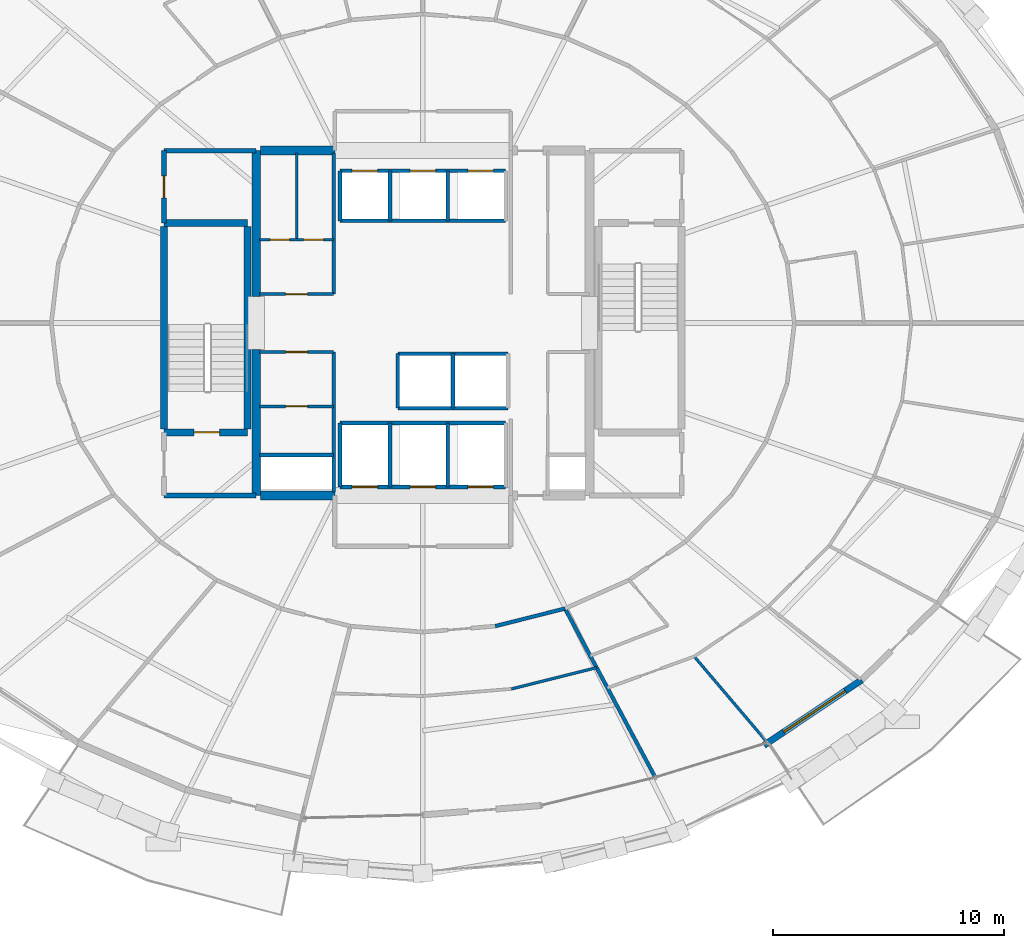
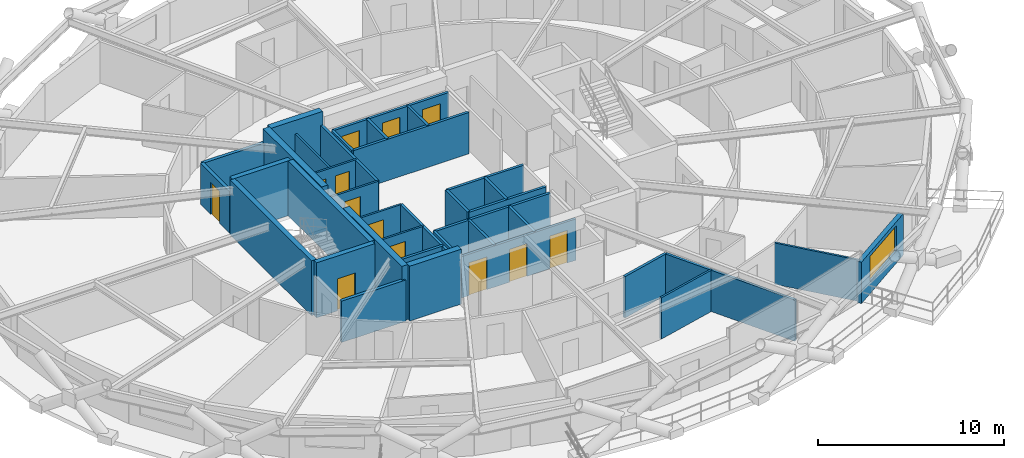
# One storey, part 8 of 14: 38 walls, 13 doors, 1 window, 14 openings.
"""IFC4 building model written with IfcOpenShell, lengths in metres."""

from ifc_helpers import new_model, si_unit, direction, frame, frame_2d, origin, place, context, subcontext, project, spatial, rectangle, extrude, material, layer, layer_set, type_object, element, fill, save


model = new_model("IFC4")

# Units and contexts
model_context = context("Model", 3, precision=1e-05, world=origin(), true_north=direction((0.0, 1.0)))
body_context = subcontext(model_context, "Body", "Model", "MODEL_VIEW")
ifc_project = project(units=[si_unit("LENGTHUNIT", "METRE"), si_unit("AREAUNIT", "SQUARE_METRE"), si_unit("VOLUMEUNIT", "CUBIC_METRE"), si_unit("PLANEANGLEUNIT", "RADIAN"), si_unit("MASSUNIT", "GRAM", prefix="KILO")], contexts=[model_context])

# Site, building, storey
site_placement = place(None, origin())
site = spatial("IfcSite", under=ifc_project, at=site_placement, CompositionType="ELEMENT")
building_placement = place(site_placement, origin())
building = spatial("IfcBuilding", under=site, at=building_placement, Name="Veldorina Hangang Commons", CompositionType="ELEMENT")
storey_placement = place(building_placement, frame((0.0, 0.0, 62.800048828125)))
storey = spatial("IfcBuildingStorey", under=building, at=storey_placement, Name="L15", CompositionType="ELEMENT", Elevation=62.800048828125)

# Walls
ifc_material_1 = material(Name="Concrete C70/85", Category="concrete")
ifc_layer_1 = layer(ifc_material_1, 0.3798828125)
ifc_layer_set_1 = layer_set([ifc_layer_1], Name="Concrete C70/85")
wall_type_1 = type_object("IfcWallType", Name="CW-RC380-C70", PredefinedType="SHEAR", material=ifc_layer_set_1)
for number, where, z_axis, x_axis, name in (
    (1, (24.800048828125, 16.550048828125, 0.0), (0.0, 0.0, 1.0), (0.0, 1.0, 0.0), "L15 W south core shear wall"),
    (2, (24.800048828125, 25.14990234375, 0.0), (0.0, 0.0, 1.0), (0.0, 1.0, 0.0), "L15 W north core shear wall"),
):
    element("IfcWall", number, at=place(storey_placement, frame(where, z_axis=z_axis, x_axis=x_axis)), inside=storey, type_object=wall_type_1, Name=name, PredefinedType="SHEAR", context=body_context, shape_type="SweptSolid", body=[
        extrude(rectangle(XDim=6.300048828125, YDim=0.3798828125, at=frame_2d((3.14990234375, 0.0))), origin(), (0.0, 0.0, 1.0), 3.599853515625),
    ])
for number, where, z_axis, x_axis, name in (
    (3, (24.989990234375, 16.550048828125, 0.0), (0.0, 0.0, 1.0), (1.0, 0.0, 0.0), "L15 south-west core shear wall"),
    (4, (24.989990234375, 31.449951171875, 0.0), (0.0, 0.0, 1.0), (1.0, 0.0, 0.0), "L15 north-west core shear wall"),
):
    element("IfcWall", number, at=place(storey_placement, frame(where, z_axis=z_axis, x_axis=x_axis)), inside=storey, type_object=wall_type_1, Name=name, PredefinedType="SHEAR", context=body_context, shape_type="SweptSolid", body=[
        extrude(rectangle(XDim=3.2099609375, YDim=0.3798828125, at=frame_2d((1.60498046875, 0.0))), origin(), (0.0, 0.0, 1.0), 3.599853515625),
    ])

# Wall, opening, window
ifc_material_2 = material(Name="Stone Roman Travertine", Category="masonry")
ifc_layer_2 = layer(ifc_material_2, 0.280029296875)
ifc_layer_set_2 = layer_set([ifc_layer_2], Name="Stone Roman Travertine")
wall_type_2 = type_object("IfcWallType", Name="EW-TRAV-280", PredefinedType="STANDARD", material=ifc_layer_set_2)
wall_1_placement = place(storey_placement, frame((46.73974609375, 5.761962890625, 0.0), z_axis=(0.0, 0.0, 1.0), x_axis=(0.831679795374, 0.555255542941, 0.0)))
wall_1 = element("IfcWall", 5, at=wall_1_placement, inside=storey, type_object=wall_type_2, Name="L15 travertine facade wall 27", PredefinedType="STANDARD", context=body_context, shape_type="SweptSolid", body=[
    extrude(rectangle(XDim=5.0712890625, YDim=0.280029296875, at=frame_2d((2.53564453125, 0.0))), origin(), (0.0, 0.0, 1.0), 2.7099609375),
])
opening_1_placement = place(wall_1_placement, frame((1.02880859375, 0.0, 0.800048828125)))
opening_1 = element("IfcOpeningElement", 6, at=opening_1_placement, cuts=wall_1, Name="Opening W-01", PredefinedType="OPENING", context=body_context, shape_type="SweptSolid", body=[
    extrude(rectangle(XDim=3.199951171875, YDim=1.64990234375, at=frame_2d((1.60009765625, 0.824951171875))), frame((0.0, 0.14990234375, 0.0), z_axis=(0.0, -1.0, 0.0), x_axis=(1.0, 0.0, 0.0)), (0.0, 0.0, 1.0), 0.300048828125),
])
ifc_material_3 = material(Name="Glass Low-E Triple IGU", Category="glass")
window_type = type_object("IfcWindowType", Name="WIN-TWR-3200", PartitioningType="SINGLE_PANEL", PredefinedType="WINDOW", material=ifc_material_3)
window_placement = place(opening_1_placement, origin())
window = element("IfcWindow", 7, at=window_placement, inside=storey, type_object=window_type, Name="L15 facade window 27", OverallHeight=1.64990234375, OverallWidth=3.199951171875, PartitioningType="SINGLE_PANEL", PredefinedType="WINDOW", context=body_context, shape_type="SweptSolid", body=[
    extrude(rectangle(XDim=3.199951171875, YDim=1.64990234375, at=frame_2d((1.60009765625, 0.824951171875))), frame((0.0, 0.030029296875, 0.0), z_axis=(0.0, -1.0, 0.0), x_axis=(1.0, 0.0, 0.0)), (0.0, 0.0, 1.0), 0.06005859375),
])
fill(opening_1, window)

# Walls
ifc_material_4 = material(Name="Concrete C50/60", Category="concrete")
ifc_layer_3 = layer(ifc_material_4, 0.300048828125)
ifc_layer_set_3 = layer_set([ifc_layer_3], Name="Concrete C50/60")
wall_type_3 = type_object("IfcWallType", Name="SW-STAIR-300", PredefinedType="SHEAR", material=ifc_layer_set_3)
for number, where, z_axis, x_axis, name in (
    (8, (20.820068359375, 19.429931640625, 0.0), (0.0, 0.0, 1.0), (0.0, 1.0, 0.0), "L15 ST1 outer stair shear wall"),
    (9, (24.419921875, 19.429931640625, 0.0), (0.0, 0.0, 1.0), (0.0, 1.0, 0.0), "L15 ST1 inner stair shear wall"),
):
    element("IfcWall", number, at=place(storey_placement, frame(where, z_axis=z_axis, x_axis=x_axis)), inside=storey, type_object=wall_type_3, Name=name, PredefinedType="SHEAR", context=body_context, shape_type="SweptSolid", body=[
        extrude(rectangle(XDim=8.739990234375, YDim=0.300048828125, at=frame_2d((4.3701171875, 0.0))), origin(), (0.0, 0.0, 1.0), 3.599853515625),
    ])

# Wall, opening, door
wall_2_placement = place(storey_placement, frame((20.820068359375, 19.280029296875, 0.0), z_axis=(0.0, 0.0, 1.0), x_axis=(1.0, 0.0, 0.0)))
wall_2 = element("IfcWall", 10, at=wall_2_placement, inside=storey, type_object=wall_type_3, Name="L15 ST1 south stair shear wall", PredefinedType="SHEAR", context=body_context, shape_type="SweptSolid", body=[
    extrude(rectangle(XDim=3.599853515625, YDim=0.300048828125, at=frame_2d((1.7998046875, 0.0))), origin(), (0.0, 0.0, 1.0), 3.599853515625),
])
opening_2_placement = place(wall_2_placement, frame((1.300048828125, 0.0, 0.0)))
opening_2 = element("IfcOpeningElement", 11, at=opening_2_placement, cuts=wall_2, Name="Opening D-08", PredefinedType="OPENING", context=body_context, shape_type="SweptSolid", body=[
    extrude(rectangle(XDim=1.10009765625, YDim=2.10009765625, at=frame_2d((0.550048828125, 1.050048828125))), frame((0.0, 0.16015625, 0.0), z_axis=(0.0, -1.0, 0.0), x_axis=(1.0, 0.0, 0.0)), (0.0, 0.0, 1.0), 0.320068359375),
])
ifc_material_5 = material(Name="Steel Fire-Rated Smoke Seal", Category="steel")
door_type_1 = type_object("IfcDoorType", Name="DR-FIRE-1100", OperationType="SINGLE_SWING_RIGHT", PredefinedType="DOOR", material=ifc_material_5)
door_1_placement = place(opening_2_placement, origin())
door_1 = element("IfcDoor", 12, at=door_1_placement, inside=storey, type_object=door_type_1, Name="L15 Special Escape Stair ST-1 door", OperationType="SINGLE_SWING_LEFT", OverallHeight=2.10009765625, OverallWidth=1.10009765625, PredefinedType="DOOR", context=body_context, shape_type="SweptSolid", body=[
    extrude(rectangle(XDim=1.10009765625, YDim=2.10009765625, at=frame_2d((0.550048828125, 1.050048828125))), frame((0.0, 0.02490234375, 0.0), z_axis=(0.0, -1.0, 0.0), x_axis=(1.0, 0.0, 0.0)), (0.0, 0.0, 1.0), 0.050048828125),
])
fill(opening_2, door_1)

# Wall
wall_3_placement = place(storey_placement, frame((20.820068359375, 28.320068359375, 0.0), z_axis=(0.0, 0.0, 1.0), x_axis=(1.0, 0.0, 0.0)))
element("IfcWall", 13, at=wall_3_placement, inside=storey, type_object=wall_type_3, Name="L15 ST1 north stair shear wall", PredefinedType="SHEAR", context=body_context, shape_type="SweptSolid", body=[
    extrude(rectangle(XDim=3.599853515625, YDim=0.300048828125, at=frame_2d((1.7998046875, 0.0))), origin(), (0.0, 0.0, 1.0), 3.599853515625),
])

# Wall, openings, doors
ifc_material_6 = material(Name="Gypsum Fire-Rated Twin Stud Wall", Category="gypsum")
ifc_layer_4 = layer(ifc_material_6, 0.159912109375)
ifc_layer_set_4 = layer_set([ifc_layer_4], Name="Gypsum Fire-Rated Twin Stud Wall")
wall_type_4 = type_object("IfcWallType", Name="WL-FIRE-160", PredefinedType="SOLIDWALL", material=ifc_layer_set_4)
wall_4_placement = place(storey_placement, frame((28.419921875, 30.580078125, 0.0), z_axis=(0.0, 0.0, 1.0), x_axis=(1.0, 0.0, 0.0)))
wall_4 = element("IfcWall", 14, at=wall_4_placement, inside=storey, type_object=wall_type_4, Name="L15 Low-bank front shaft wall 015", PredefinedType="SOLIDWALL", context=body_context, shape_type="SweptSolid", body=[
    extrude(rectangle(XDim=7.16015625, YDim=0.159912109375, at=frame_2d((3.580078125, 0.0))), origin(), (0.0, 0.0, 1.0), 2.7099609375),
])
opening_3_placement = place(wall_4_placement, frame((0.530029296875, 0.0, 0.0)))
opening_3 = element("IfcOpeningElement", 15, at=opening_3_placement, cuts=wall_4, Name="Opening LD-01", PredefinedType="OPENING", context=body_context, shape_type="SweptSolid", body=[
    extrude(rectangle(XDim=1.10009765625, YDim=2.14990234375, at=frame_2d((0.550048828125, 1.074951171875))), frame((0.0, 0.08984375, 0.0), z_axis=(0.0, -1.0, 0.0), x_axis=(1.0, 0.0, 0.0)), (0.0, 0.0, 1.0), 0.179931640625),
])
opening_4_placement = place(wall_4_placement, frame((3.030029296875, 0.0, 0.0)))
opening_4 = element("IfcOpeningElement", 16, at=opening_4_placement, cuts=wall_4, Name="Opening LD-01", PredefinedType="OPENING", context=body_context, shape_type="SweptSolid", body=[
    extrude(rectangle(XDim=1.10009765625, YDim=2.14990234375, at=frame_2d((0.550048828125, 1.074951171875))), frame((0.0, 0.08984375, 0.0), z_axis=(0.0, -1.0, 0.0), x_axis=(1.0, 0.0, 0.0)), (0.0, 0.0, 1.0), 0.179931640625),
])
opening_5_placement = place(wall_4_placement, frame((5.530029296875, 0.0, 0.0)))
opening_5 = element("IfcOpeningElement", 17, at=opening_5_placement, cuts=wall_4, Name="Opening LD-01", PredefinedType="OPENING", context=body_context, shape_type="SweptSolid", body=[
    extrude(rectangle(XDim=1.10009765625, YDim=2.14990234375, at=frame_2d((0.550048828125, 1.074951171875))), frame((0.0, 0.08984375, 0.0), z_axis=(0.0, -1.0, 0.0), x_axis=(1.0, 0.0, 0.0)), (0.0, 0.0, 1.0), 0.179931640625),
])
ifc_material_7 = material(Name="Stainless Steel Brushed Lift Door", Category="steel")
door_type_2 = type_object("IfcDoorType", Name="DR-LIFT-1100", OperationType="SLIDING_TO_LEFT", PredefinedType="DOOR", material=ifc_material_7)
door_2_placement = place(opening_3_placement, origin())
door_2 = element("IfcDoor", 18, at=door_2_placement, inside=storey, type_object=door_type_2, Name="L15 Lift PL-L1 landing door 006", OperationType="SLIDING_TO_LEFT", OverallHeight=2.14990234375, OverallWidth=1.10009765625, PredefinedType="DOOR", context=body_context, shape_type="SweptSolid", body=[
    extrude(rectangle(XDim=1.10009765625, YDim=2.14990234375, at=frame_2d((0.550048828125, 1.074951171875))), frame((0.0, 0.02490234375, 0.0), z_axis=(0.0, -1.0, 0.0), x_axis=(1.0, 0.0, 0.0)), (0.0, 0.0, 1.0), 0.050048828125),
])
fill(opening_3, door_2)
door_3_placement = place(opening_4_placement, origin())
door_3 = element("IfcDoor", 19, at=door_3_placement, inside=storey, type_object=door_type_2, Name="L15 Lift PL-L2 landing door 007", OperationType="SLIDING_TO_LEFT", OverallHeight=2.14990234375, OverallWidth=1.10009765625, PredefinedType="DOOR", context=body_context, shape_type="SweptSolid", body=[
    extrude(rectangle(XDim=1.10009765625, YDim=2.14990234375, at=frame_2d((0.550048828125, 1.074951171875))), frame((0.0, 0.02490234375, 0.0), z_axis=(0.0, -1.0, 0.0), x_axis=(1.0, 0.0, 0.0)), (0.0, 0.0, 1.0), 0.050048828125),
])
fill(opening_4, door_3)
door_4_placement = place(opening_5_placement, origin())
door_4 = element("IfcDoor", 20, at=door_4_placement, inside=storey, type_object=door_type_2, Name="L15 Lift PL-L3 landing door 008", OperationType="SLIDING_TO_LEFT", OverallHeight=2.14990234375, OverallWidth=1.10009765625, PredefinedType="DOOR", context=body_context, shape_type="SweptSolid", body=[
    extrude(rectangle(XDim=1.10009765625, YDim=2.14990234375, at=frame_2d((0.550048828125, 1.074951171875))), frame((0.0, 0.02490234375, 0.0), z_axis=(0.0, -1.0, 0.0), x_axis=(1.0, 0.0, 0.0)), (0.0, 0.0, 1.0), 0.050048828125),
])
fill(opening_5, door_4)

# Walls
wall_5_placement = place(storey_placement, frame((28.419921875, 28.419921875, 0.0), z_axis=(0.0, 0.0, 1.0), x_axis=(1.0, 0.0, 0.0)))
element("IfcWall", 21, at=wall_5_placement, inside=storey, type_object=wall_type_4, Name="L15 Low-bank rear shaft wall 016", PredefinedType="SOLIDWALL", context=body_context, shape_type="SweptSolid", body=[
    extrude(rectangle(XDim=7.16015625, YDim=0.159912109375, at=frame_2d((3.580078125, 0.0))), origin(), (0.0, 0.0, 1.0), 2.7099609375),
])
for number, where, z_axis, x_axis, name in (
    (22, (28.419921875, 28.419921875, 0.0), (0.0, 0.0, 1.0), (0.0, 1.0, 0.0), "L15 PL-L1 west shaft wall 017"),
    (23, (30.580078125, 28.419921875, 0.0), (0.0, 0.0, 1.0), (0.0, 1.0, 0.0), "L15 PL-L1 east shaft wall 018"),
    (24, (33.080078125, 28.419921875, 0.0), (0.0, 0.0, 1.0), (0.0, 1.0, 0.0), "L15 PL-L2 east shaft wall 019"),
):
    element("IfcWall", number, at=place(storey_placement, frame(where, z_axis=z_axis, x_axis=x_axis)), inside=storey, type_object=wall_type_4, Name=name, PredefinedType="SOLIDWALL", context=body_context, shape_type="SweptSolid", body=[
        extrude(rectangle(XDim=2.16015625, YDim=0.159912109375, at=frame_2d((1.080078125, 0.0))), origin(), (0.0, 0.0, 1.0), 2.7099609375),
    ])
for number, where, z_axis, x_axis, name in (
    (25, (30.919921875, 22.679931640625, 0.0), (0.0, 0.0, 1.0), (1.0, 0.0, 0.0), "L15 Shuttle-high front shaft wall 021"),
    (26, (30.919921875, 20.320068359375, 0.0), (0.0, 0.0, 1.0), (1.0, 0.0, 0.0), "L15 Shuttle-high rear shaft wall 022"),
):
    element("IfcWall", number, at=place(storey_placement, frame(where, z_axis=z_axis, x_axis=x_axis)), inside=storey, type_object=wall_type_4, Name=name, PredefinedType="SOLIDWALL", context=body_context, shape_type="SweptSolid", body=[
        extrude(rectangle(XDim=4.760009765625, YDim=0.159912109375, at=frame_2d((2.3798828125, 0.0))), origin(), (0.0, 0.0, 1.0), 2.7099609375),
    ])
for number, where, z_axis, x_axis, name in (
    (27, (30.919921875, 20.320068359375, 0.0), (0.0, 0.0, 1.0), (0.0, 1.0, 0.0), "L15 SL-1 west shaft wall 023"),
    (28, (33.300048828125, 20.320068359375, 0.0), (0.0, 0.0, 1.0), (0.0, 1.0, 0.0), "L15 SL-1 east shaft wall 024"),
):
    element("IfcWall", number, at=place(storey_placement, frame(where, z_axis=z_axis, x_axis=x_axis)), inside=storey, type_object=wall_type_4, Name=name, PredefinedType="SOLIDWALL", context=body_context, shape_type="SweptSolid", body=[
        extrude(rectangle(XDim=2.35986328125, YDim=0.159912109375, at=frame_2d((1.179931640625, 0.0))), origin(), (0.0, 0.0, 1.0), 2.7099609375),
    ])

# Wall, openings, doors
wall_6_placement = place(storey_placement, frame((28.419921875, 16.919921875, 0.0), z_axis=(0.0, 0.0, 1.0), x_axis=(1.0, 0.0, 0.0)))
wall_6 = element("IfcWall", 29, at=wall_6_placement, inside=storey, type_object=wall_type_4, Name="L15 Emergency front shaft wall 026", PredefinedType="SOLIDWALL", context=body_context, shape_type="SweptSolid", body=[
    extrude(rectangle(XDim=7.16015625, YDim=0.159912109375, at=frame_2d((3.580078125, 0.0))), origin(), (0.0, 0.0, 1.0), 2.7099609375),
])
opening_6_placement = place(wall_6_placement, frame((0.530029296875, 0.0, 0.0)))
opening_6 = element("IfcOpeningElement", 30, at=opening_6_placement, cuts=wall_6, Name="Opening LD-03", PredefinedType="OPENING", context=body_context, shape_type="SweptSolid", body=[
    extrude(rectangle(XDim=1.10009765625, YDim=2.14990234375, at=frame_2d((0.550048828125, 1.074951171875))), frame((0.0, 0.08984375, 0.0), z_axis=(0.0, -1.0, 0.0), x_axis=(1.0, 0.0, 0.0)), (0.0, 0.0, 1.0), 0.179931640625),
])
opening_7_placement = place(wall_6_placement, frame((3.030029296875, 0.0, 0.0)))
opening_7 = element("IfcOpeningElement", 31, at=opening_7_placement, cuts=wall_6, Name="Opening LD-03", PredefinedType="OPENING", context=body_context, shape_type="SweptSolid", body=[
    extrude(rectangle(XDim=1.10009765625, YDim=2.14990234375, at=frame_2d((0.550048828125, 1.074951171875))), frame((0.0, 0.08984375, 0.0), z_axis=(0.0, -1.0, 0.0), x_axis=(1.0, 0.0, 0.0)), (0.0, 0.0, 1.0), 0.179931640625),
])
opening_8_placement = place(wall_6_placement, frame((5.530029296875, 0.0, 0.0)))
opening_8 = element("IfcOpeningElement", 32, at=opening_8_placement, cuts=wall_6, Name="Opening LD-03", PredefinedType="OPENING", context=body_context, shape_type="SweptSolid", body=[
    extrude(rectangle(XDim=1.10009765625, YDim=2.14990234375, at=frame_2d((0.550048828125, 1.074951171875))), frame((0.0, 0.08984375, 0.0), z_axis=(0.0, -1.0, 0.0), x_axis=(1.0, 0.0, 0.0)), (0.0, 0.0, 1.0), 0.179931640625),
])
ifc_material_8 = material(Name="Stainless Steel Firefighting Lift Door", Category="steel")
door_type_3 = type_object("IfcDoorType", Name="DR-LIFT-FF1100", OperationType="SLIDING_TO_RIGHT", PredefinedType="DOOR", material=ifc_material_8)
door_5_placement = place(opening_6_placement, origin())
door_5 = element("IfcDoor", 33, at=door_5_placement, inside=storey, type_object=door_type_3, Name="L15 Emergency lift FFL-1 landing door 009", OperationType="SLIDING_TO_RIGHT", OverallHeight=2.14990234375, OverallWidth=1.10009765625, PredefinedType="DOOR", context=body_context, shape_type="SweptSolid", body=[
    extrude(rectangle(XDim=1.10009765625, YDim=2.14990234375, at=frame_2d((0.550048828125, 1.074951171875))), frame((0.0, 0.02490234375, 0.0), z_axis=(0.0, -1.0, 0.0), x_axis=(1.0, 0.0, 0.0)), (0.0, 0.0, 1.0), 0.050048828125),
])
fill(opening_6, door_5)
door_6_placement = place(opening_7_placement, origin())
door_6 = element("IfcDoor", 34, at=door_6_placement, inside=storey, type_object=door_type_3, Name="L15 Emergency lift FFL-2 landing door 010", OperationType="SLIDING_TO_RIGHT", OverallHeight=2.14990234375, OverallWidth=1.10009765625, PredefinedType="DOOR", context=body_context, shape_type="SweptSolid", body=[
    extrude(rectangle(XDim=1.10009765625, YDim=2.14990234375, at=frame_2d((0.550048828125, 1.074951171875))), frame((0.0, 0.02490234375, 0.0), z_axis=(0.0, -1.0, 0.0), x_axis=(1.0, 0.0, 0.0)), (0.0, 0.0, 1.0), 0.050048828125),
])
fill(opening_7, door_6)
door_7_placement = place(opening_8_placement, origin())
door_7 = element("IfcDoor", 35, at=door_7_placement, inside=storey, type_object=door_type_3, Name="L15 Emergency lift EVL-1 landing door 011", OperationType="SLIDING_TO_RIGHT", OverallHeight=2.14990234375, OverallWidth=1.10009765625, PredefinedType="DOOR", context=body_context, shape_type="SweptSolid", body=[
    extrude(rectangle(XDim=1.10009765625, YDim=2.14990234375, at=frame_2d((0.550048828125, 1.074951171875))), frame((0.0, 0.02490234375, 0.0), z_axis=(0.0, -1.0, 0.0), x_axis=(1.0, 0.0, 0.0)), (0.0, 0.0, 1.0), 0.050048828125),
])
fill(opening_8, door_7)

# Walls
wall_7_placement = place(storey_placement, frame((28.419921875, 19.679931640625, 0.0), z_axis=(0.0, 0.0, 1.0), x_axis=(1.0, 0.0, 0.0)))
element("IfcWall", 36, at=wall_7_placement, inside=storey, type_object=wall_type_4, Name="L15 Emergency rear shaft wall 027", PredefinedType="SOLIDWALL", context=body_context, shape_type="SweptSolid", body=[
    extrude(rectangle(XDim=7.16015625, YDim=0.159912109375, at=frame_2d((3.580078125, 0.0))), origin(), (0.0, 0.0, 1.0), 2.7099609375),
])
for number, where, z_axis, x_axis, name in (
    (37, (28.419921875, 16.919921875, 0.0), (0.0, 0.0, 1.0), (0.0, 1.0, 0.0), "L15 FFL-1 west shaft wall 028"),
    (38, (30.580078125, 16.919921875, 0.0), (0.0, 0.0, 1.0), (0.0, 1.0, 0.0), "L15 FFL-1 east shaft wall 029"),
    (39, (33.080078125, 16.919921875, 0.0), (0.0, 0.0, 1.0), (0.0, 1.0, 0.0), "L15 FFL-2 east shaft wall 030"),
):
    element("IfcWall", number, at=place(storey_placement, frame(where, z_axis=z_axis, x_axis=x_axis)), inside=storey, type_object=wall_type_4, Name=name, PredefinedType="SOLIDWALL", context=body_context, shape_type="SweptSolid", body=[
        extrude(rectangle(XDim=2.760009765625, YDim=0.159912109375, at=frame_2d((1.3798828125, 0.0))), origin(), (0.0, 0.0, 1.0), 2.7099609375),
    ])
wall_8_placement = place(storey_placement, frame((24.949951171875, 18.300048828125, 0.0), z_axis=(0.0, 0.0, 1.0), x_axis=(1.0, 0.0, 0.0)))
element("IfcWall", 40, at=wall_8_placement, inside=storey, type_object=wall_type_4, Name="L15 Electrical riser wall 035", PredefinedType="SOLIDWALL", context=body_context, shape_type="SweptSolid", body=[
    extrude(rectangle(XDim=3.199951171875, YDim=0.159912109375, at=frame_2d((1.60009765625, 0.0))), origin(), (0.0, 0.0, 1.0), 2.7099609375),
])
wall_9_placement = place(storey_placement, frame((28.14990234375, 16.699951171875, 0.0), z_axis=(0.0, 0.0, 1.0), x_axis=(0.0, 1.0, 0.0)))
element("IfcWall", 41, at=wall_9_placement, inside=storey, type_object=wall_type_4, Name="L15 SW core inner wall 036", PredefinedType="SOLIDWALL", context=body_context, shape_type="SweptSolid", body=[
    extrude(rectangle(XDim=6.050048828125, YDim=0.159912109375, at=frame_2d((3.02490234375, 0.0))), origin(), (0.0, 0.0, 1.0), 2.7099609375),
])
wall_10_placement = place(storey_placement, frame((28.14990234375, 25.25, 0.0), z_axis=(0.0, 0.0, 1.0), x_axis=(0.0, 1.0, 0.0)))
element("IfcWall", 42, at=wall_10_placement, inside=storey, type_object=wall_type_4, Name="L15 NW core inner wall 038", PredefinedType="SOLIDWALL", context=body_context, shape_type="SweptSolid", body=[
    extrude(rectangle(XDim=6.10009765625, YDim=0.159912109375, at=frame_2d((3.050048828125, 0.0))), origin(), (0.0, 0.0, 1.0), 2.7099609375),
])
wall_11_placement = place(storey_placement, frame((35.131103515625, 10.906494140625, 0.0), z_axis=(0.0, 0.0, 1.0), x_axis=(0.969608333194, 0.244662380029, 0.0)))
element("IfcWall", 43, at=wall_11_placement, inside=storey, type_object=wall_type_4, Name="L15 Corridor outer wall 25 073", PredefinedType="SOLIDWALL", context=body_context, shape_type="SweptSolid", body=[
    extrude(rectangle(XDim=3.10546875, YDim=0.159912109375, at=frame_2d((1.552734375, 0.0))), origin(), (0.0, 0.0, 1.0), 2.7099609375),
])
wall_12_placement = place(storey_placement, frame((38.14208984375, 11.666259765625, 0.0), z_axis=(0.0, 0.0, 1.0), x_axis=(0.471604491661, -0.88181018561, 0.0)))
element("IfcWall", 44, at=wall_12_placement, inside=storey, type_object=wall_type_4, Name="L15 Unit party wall 26 084", PredefinedType="SOLIDWALL", context=body_context, shape_type="SweptSolid", body=[
    extrude(rectangle(XDim=8.22705078125, YDim=0.159912109375, at=frame_2d((4.113525390625, 0.0))), origin(), (0.0, 0.0, 1.0), 2.7099609375),
])
ifc_material_9 = material(Name="Concrete Blockwork Fire Wall C30/37", Category="masonry")
ifc_layer_5 = layer(ifc_material_9, 0.199951171875)
ifc_layer_set_5 = layer_set([ifc_layer_5], Name="Concrete Blockwork Fire Wall C30/37")
wall_type_5 = type_object("IfcWallType", Name="WL-FIRE-200", PredefinedType="SOLIDWALL", material=ifc_layer_set_5)
wall_13_placement = place(storey_placement, frame((20.820068359375, 16.550048828125, 0.0), z_axis=(0.0, 0.0, 1.0), x_axis=(1.0, 0.0, 0.0)))
element("IfcWall", 45, at=wall_13_placement, inside=storey, type_object=wall_type_5, Name="L15 West vestibule south wall 002", PredefinedType="SOLIDWALL", context=body_context, shape_type="SweptSolid", body=[
    extrude(rectangle(XDim=3.97998046875, YDim=0.199951171875, at=frame_2d((1.989990234375, 0.0))), origin(), (0.0, 0.0, 1.0), 2.7099609375),
])

# Wall, opening, door
wall_14_placement = place(storey_placement, frame((20.820068359375, 28.320068359375, 0.0), z_axis=(0.0, 0.0, 1.0), x_axis=(0.0, 1.0, 0.0)))
wall_14 = element("IfcWall", 46, at=wall_14_placement, inside=storey, type_object=wall_type_5, Name="L15 NW core room outer wall 005", PredefinedType="SOLIDWALL", context=body_context, shape_type="SweptSolid", body=[
    extrude(rectangle(XDim=3.1298828125, YDim=0.199951171875, at=frame_2d((1.56494140625, 0.0))), origin(), (0.0, 0.0, 1.0), 2.7099609375),
])
opening_9_placement = place(wall_14_placement, frame((1.090087890625, 0.0, 0.0)))
opening_9 = element("IfcOpeningElement", 47, at=opening_9_placement, cuts=wall_14, Name="Opening D-04", PredefinedType="OPENING", context=body_context, shape_type="SweptSolid", body=[
    extrude(rectangle(XDim=0.949951171875, YDim=2.10009765625, at=frame_2d((0.47509765625, 1.050048828125))), frame((0.0, 0.10986328125, 0.0), z_axis=(0.0, -1.0, 0.0), x_axis=(1.0, 0.0, 0.0)), (0.0, 0.0, 1.0), 0.219970703125),
])
ifc_material_10 = material(Name="Timber Accessible Flush Leaf", Category="wood")
door_type_4 = type_object("IfcDoorType", Name="DR-ACC-950", OperationType="SINGLE_SWING_LEFT", PredefinedType="DOOR", material=ifc_material_10)
door_8_placement = place(opening_9_placement, origin())
door_8 = element("IfcDoor", 48, at=door_8_placement, inside=storey, type_object=door_type_4, Name="L15 NW core WC door 003", OperationType="SINGLE_SWING_LEFT", OverallHeight=2.10009765625, OverallWidth=0.949951171875, PredefinedType="DOOR", context=body_context, shape_type="SweptSolid", body=[
    extrude(rectangle(XDim=0.949951171875, YDim=2.10009765625, at=frame_2d((0.47509765625, 1.050048828125))), frame((0.0, 0.02490234375, 0.0), z_axis=(0.0, -1.0, 0.0), x_axis=(1.0, 0.0, 0.0)), (0.0, 0.0, 1.0), 0.050048828125),
])
fill(opening_9, door_8)

# Wall
wall_15_placement = place(storey_placement, frame((20.820068359375, 31.449951171875, 0.0), z_axis=(0.0, 0.0, 1.0), x_axis=(1.0, 0.0, 0.0)))
element("IfcWall", 49, at=wall_15_placement, inside=storey, type_object=wall_type_5, Name="L15 NW core room north wall 006", PredefinedType="SOLIDWALL", context=body_context, shape_type="SweptSolid", body=[
    extrude(rectangle(XDim=3.97998046875, YDim=0.199951171875, at=frame_2d((1.989990234375, 0.0))), origin(), (0.0, 0.0, 1.0), 2.7099609375),
])

# Wall, opening, door
ifc_material_11 = material(Name="Gypsum Acoustic Stud Partition", Category="gypsum")
ifc_layer_6 = layer(ifc_material_11, 0.1201171875)
ifc_layer_set_6 = layer_set([ifc_layer_6], Name="Gypsum Acoustic Stud Partition")
wall_type_6 = type_object("IfcWallType", Name="WL-PART-120", PredefinedType="PARTITIONING", material=ifc_layer_set_6)
wall_16_placement = place(storey_placement, frame((24.949951171875, 25.25, 0.0), z_axis=(0.0, 0.0, 1.0), x_axis=(1.0, 0.0, 0.0)))
wall_16 = element("IfcWall", 50, at=wall_16_placement, inside=storey, type_object=wall_type_6, Name="L15 NW service south wall 039", PredefinedType="PARTITIONING", context=body_context, shape_type="SweptSolid", body=[
    extrude(rectangle(XDim=3.199951171875, YDim=0.1201171875, at=frame_2d((1.60009765625, 0.0))), origin(), (0.0, 0.0, 1.0), 2.7099609375),
])
opening_10_placement = place(wall_16_placement, frame((1.125, 0.0, 0.0)))
opening_10 = element("IfcOpeningElement", 51, at=opening_10_placement, cuts=wall_16, Name="Opening D-02", PredefinedType="OPENING", context=body_context, shape_type="SweptSolid", body=[
    extrude(rectangle(XDim=0.949951171875, YDim=2.10009765625, at=frame_2d((0.47509765625, 1.050048828125))), frame((0.0, 0.070068359375, 0.0), z_axis=(0.0, -1.0, 0.0), x_axis=(1.0, 0.0, 0.0)), (0.0, 0.0, 1.0), 0.14013671875),
])
ifc_material_12 = material(Name="Timber Solid Core Acoustic", Category="wood")
door_type_5 = type_object("IfcDoorType", Name="DR-INT-950", OperationType="SINGLE_SWING_LEFT", PredefinedType="DOOR", material=ifc_material_12)
door_9_placement = place(opening_10_placement, origin())
door_9 = element("IfcDoor", 52, at=door_9_placement, inside=storey, type_object=door_type_5, Name="L15 Utility vestibule door 013", OperationType="SINGLE_SWING_LEFT", OverallHeight=2.10009765625, OverallWidth=0.949951171875, PredefinedType="DOOR", context=body_context, shape_type="SweptSolid", body=[
    extrude(rectangle(XDim=0.949951171875, YDim=2.10009765625, at=frame_2d((0.47509765625, 1.050048828125))), frame((0.0, 0.02490234375, 0.0), z_axis=(0.0, -1.0, 0.0), x_axis=(1.0, 0.0, 0.0)), (0.0, 0.0, 1.0), 0.050048828125),
])
fill(opening_10, door_9)

wall_17_placement = place(storey_placement, frame((24.949951171875, 22.75, 0.0), z_axis=(0.0, 0.0, 1.0), x_axis=(1.0, 0.0, 0.0)))
wall_17 = element("IfcWall", 53, at=wall_17_placement, inside=storey, type_object=wall_type_6, Name="L15 SW service north wall 040", PredefinedType="PARTITIONING", context=body_context, shape_type="SweptSolid", body=[
    extrude(rectangle(XDim=3.199951171875, YDim=0.1201171875, at=frame_2d((1.60009765625, 0.0))), origin(), (0.0, 0.0, 1.0), 2.7099609375),
])
opening_11_placement = place(wall_17_placement, frame((1.125, 0.0, 0.0)))
opening_11 = element("IfcOpeningElement", 54, at=opening_11_placement, cuts=wall_17, Name="Opening D-02", PredefinedType="OPENING", context=body_context, shape_type="SweptSolid", body=[
    extrude(rectangle(XDim=0.949951171875, YDim=2.10009765625, at=frame_2d((0.47509765625, 1.050048828125))), frame((0.0, 0.070068359375, 0.0), z_axis=(0.0, -1.0, 0.0), x_axis=(1.0, 0.0, 0.0)), (0.0, 0.0, 1.0), 0.14013671875),
])
door_10_placement = place(opening_11_placement, origin())
door_10 = element("IfcDoor", 55, at=door_10_placement, inside=storey, type_object=door_type_5, Name="L15 Recycling room door 016", OperationType="SINGLE_SWING_RIGHT", OverallHeight=2.10009765625, OverallWidth=0.949951171875, PredefinedType="DOOR", context=body_context, shape_type="SweptSolid", body=[
    extrude(rectangle(XDim=0.949951171875, YDim=2.10009765625, at=frame_2d((0.47509765625, 1.050048828125))), frame((0.0, 0.02490234375, 0.0), z_axis=(0.0, -1.0, 0.0), x_axis=(1.0, 0.0, 0.0)), (0.0, 0.0, 1.0), 0.050048828125),
])
fill(opening_11, door_10)

# Wall, openings, doors
wall_18_placement = place(storey_placement, frame((24.949951171875, 27.60009765625, 0.0), z_axis=(0.0, 0.0, 1.0), x_axis=(1.0, 0.0, 0.0)))
wall_18 = element("IfcWall", 56, at=wall_18_placement, inside=storey, type_object=wall_type_6, Name="L15 NW lower split 045", PredefinedType="PARTITIONING", context=body_context, shape_type="SweptSolid", body=[
    extrude(rectangle(XDim=3.199951171875, YDim=0.1201171875, at=frame_2d((1.60009765625, 0.0))), origin(), (0.0, 0.0, 1.0), 2.7099609375),
])
opening_12_placement = place(wall_18_placement, frame((0.43994140625, 0.0, 0.0)))
opening_12 = element("IfcOpeningElement", 57, at=opening_12_placement, cuts=wall_18, Name="Opening D-01", PredefinedType="OPENING", context=body_context, shape_type="SweptSolid", body=[
    extrude(rectangle(XDim=0.860107421875, YDim=2.10009765625, at=frame_2d((0.43017578125, 1.050048828125))), frame((0.0, 0.070068359375, 0.0), z_axis=(0.0, -1.0, 0.0), x_axis=(1.0, 0.0, 0.0)), (0.0, 0.0, 1.0), 0.14013671875),
])
opening_13_placement = place(wall_18_placement, frame((1.89990234375, 0.0, 0.0)))
opening_13 = element("IfcOpeningElement", 58, at=opening_13_placement, cuts=wall_18, Name="Opening D-01", PredefinedType="OPENING", context=body_context, shape_type="SweptSolid", body=[
    extrude(rectangle(XDim=0.860107421875, YDim=2.10009765625, at=frame_2d((0.43017578125, 1.050048828125))), frame((0.0, 0.070068359375, 0.0), z_axis=(0.0, -1.0, 0.0), x_axis=(1.0, 0.0, 0.0)), (0.0, 0.0, 1.0), 0.14013671875),
])
ifc_material_13 = material(Name="Timber Moisture-Resistant Core", Category="wood")
door_type_6 = type_object("IfcDoorType", Name="DR-WET-860", OperationType="SINGLE_SWING_LEFT", PredefinedType="DOOR", material=ifc_material_13)
door_11_placement = place(opening_12_placement, origin())
door_11 = element("IfcDoor", 59, at=door_11_placement, inside=storey, type_object=door_type_6, Name="L15 Store A door 014", OperationType="SINGLE_SWING_RIGHT", OverallHeight=2.10009765625, OverallWidth=0.860107421875, PredefinedType="DOOR", context=body_context, shape_type="SweptSolid", body=[
    extrude(rectangle(XDim=0.860107421875, YDim=2.10009765625, at=frame_2d((0.43017578125, 1.050048828125))), frame((0.0, 0.02490234375, 0.0), z_axis=(0.0, -1.0, 0.0), x_axis=(1.0, 0.0, 0.0)), (0.0, 0.0, 1.0), 0.050048828125),
])
fill(opening_12, door_11)
door_12_placement = place(opening_13_placement, origin())
door_12 = element("IfcDoor", 60, at=door_12_placement, inside=storey, type_object=door_type_6, Name="L15 Store B door 015", OperationType="SINGLE_SWING_LEFT", OverallHeight=2.10009765625, OverallWidth=0.860107421875, PredefinedType="DOOR", context=body_context, shape_type="SweptSolid", body=[
    extrude(rectangle(XDim=0.860107421875, YDim=2.10009765625, at=frame_2d((0.43017578125, 1.050048828125))), frame((0.0, 0.02490234375, 0.0), z_axis=(0.0, -1.0, 0.0), x_axis=(1.0, 0.0, 0.0)), (0.0, 0.0, 1.0), 0.050048828125),
])
fill(opening_13, door_12)

# Wall
wall_19_placement = place(storey_placement, frame((26.550048828125, 27.60009765625, 0.0), z_axis=(0.0, 0.0, 1.0), x_axis=(0.0, 1.0, 0.0)))
element("IfcWall", 61, at=wall_19_placement, inside=storey, type_object=wall_type_6, Name="L15 NW upper vertical split 046", PredefinedType="PARTITIONING", context=body_context, shape_type="SweptSolid", body=[
    extrude(rectangle(XDim=3.75, YDim=0.1201171875, at=frame_2d((1.875, 0.0))), origin(), (0.0, 0.0, 1.0), 2.7099609375),
])

# Wall, opening, door
wall_20_placement = place(storey_placement, frame((24.949951171875, 20.39990234375, 0.0), z_axis=(0.0, 0.0, 1.0), x_axis=(1.0, 0.0, 0.0)))
wall_20 = element("IfcWall", 62, at=wall_20_placement, inside=storey, type_object=wall_type_6, Name="L15 SW horizontal split 047", PredefinedType="PARTITIONING", context=body_context, shape_type="SweptSolid", body=[
    extrude(rectangle(XDim=3.199951171875, YDim=0.1201171875, at=frame_2d((1.60009765625, 0.0))), origin(), (0.0, 0.0, 1.0), 2.7099609375),
])
opening_14_placement = place(wall_20_placement, frame((1.125, 0.0, 0.0)))
opening_14 = element("IfcOpeningElement", 63, at=opening_14_placement, cuts=wall_20, Name="Opening D-02", PredefinedType="OPENING", context=body_context, shape_type="SweptSolid", body=[
    extrude(rectangle(XDim=0.949951171875, YDim=2.10009765625, at=frame_2d((0.47509765625, 1.050048828125))), frame((0.0, 0.070068359375, 0.0), z_axis=(0.0, -1.0, 0.0), x_axis=(1.0, 0.0, 0.0)), (0.0, 0.0, 1.0), 0.14013671875),
])
door_13_placement = place(opening_14_placement, origin())
door_13 = element("IfcDoor", 64, at=door_13_placement, inside=storey, type_object=door_type_5, Name="L15 Archive closet door 017", OperationType="SINGLE_SWING_LEFT", OverallHeight=2.10009765625, OverallWidth=0.949951171875, PredefinedType="DOOR", context=body_context, shape_type="SweptSolid", body=[
    extrude(rectangle(XDim=0.949951171875, YDim=2.10009765625, at=frame_2d((0.47509765625, 1.050048828125))), frame((0.0, 0.02490234375, 0.0), z_axis=(0.0, -1.0, 0.0), x_axis=(1.0, 0.0, 0.0)), (0.0, 0.0, 1.0), 0.050048828125),
])
fill(opening_14, door_13)

# Walls
wall_21_placement = place(storey_placement, frame((35.82763671875, 8.194580078125, 0.0), z_axis=(0.0, 0.0, 1.0), x_axis=(0.97032395627, 0.241808643122, 0.0)))
element("IfcWall", 65, at=wall_21_placement, inside=storey, type_object=wall_type_6, Name="L15 Lounge alcove split 2 083", PredefinedType="PARTITIONING", context=body_context, shape_type="SweptSolid", body=[
    extrude(rectangle(XDim=3.793212890625, YDim=0.1201171875, at=frame_2d((1.896484375, 0.0))), origin(), (0.0, 0.0, 1.0), 2.7099609375),
])
wall_22_placement = place(storey_placement, frame((43.7265625, 9.59375, 0.0), z_axis=(0.0, 0.0, 1.0), x_axis=(0.647592807169, -0.761986585251, 0.0)))
element("IfcWall", 66, at=wall_22_placement, inside=storey, type_object=wall_type_6, Name="L15 Cluster 2 bed divider 1 089", PredefinedType="PARTITIONING", context=body_context, shape_type="SweptSolid", body=[
    extrude(rectangle(XDim=4.842529296875, YDim=0.1201171875, at=frame_2d((2.42138671875, 0.0))), origin(), (0.0, 0.0, 1.0), 2.7099609375),
])

save(model, "model.ifc")
